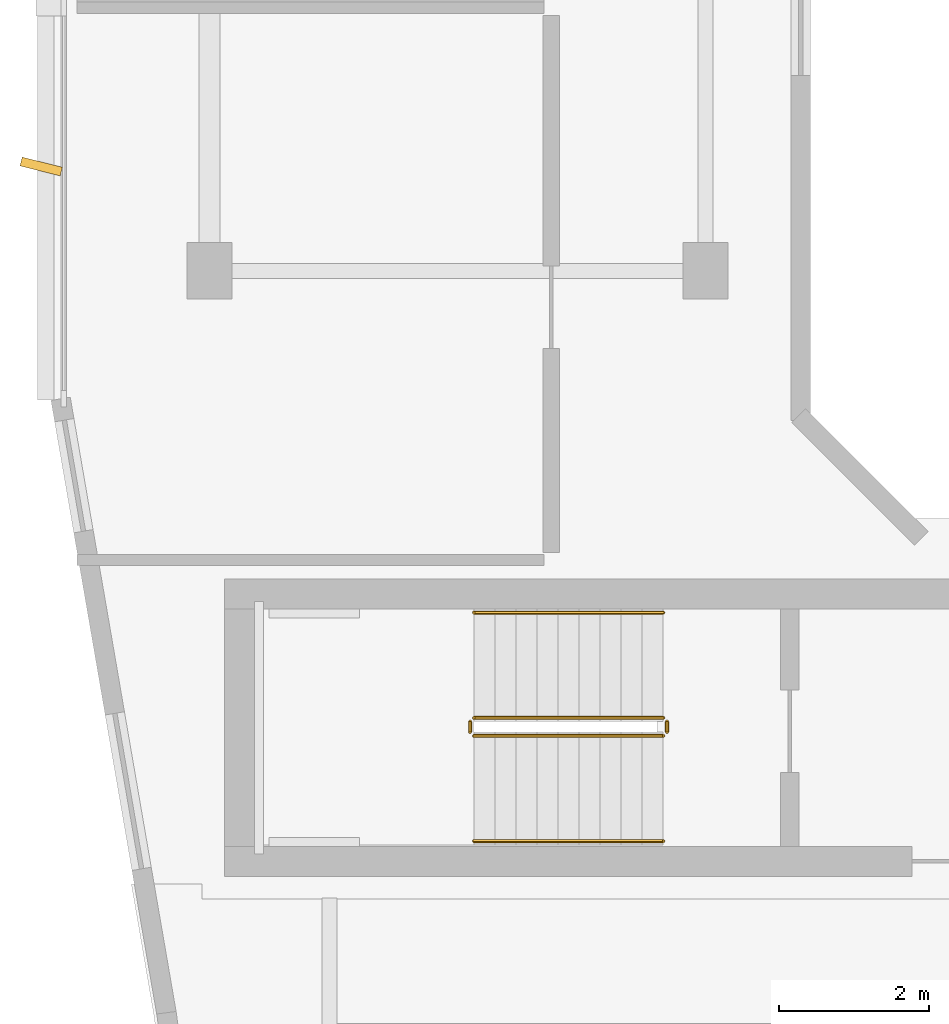
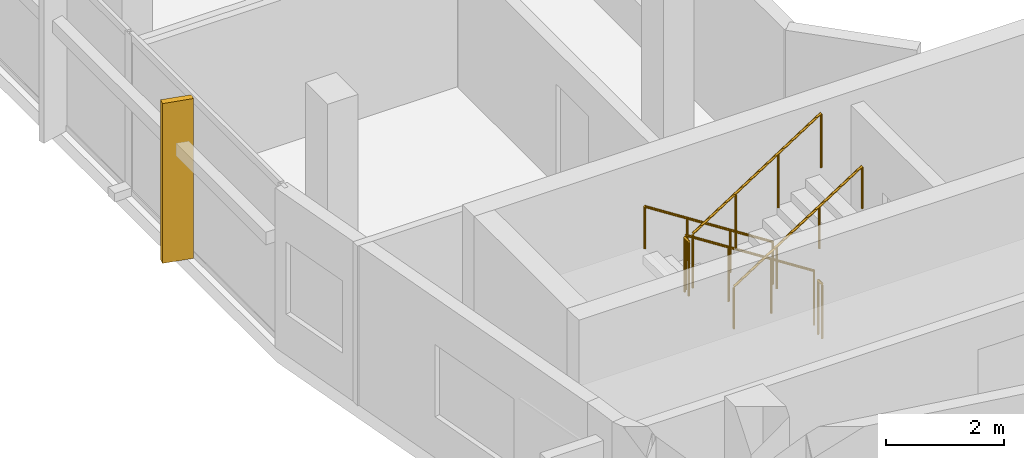
# One storey, part 7 of 10: 6 railings, 1 shading device.
"""IFC4 building model written with IfcOpenShell, lengths in metres."""

from ifc_helpers import new_model, si_unit, derived_unit, direction, frame, origin, origin_2d, place, context, subcontext, project, spatial, rectangle, circle, extrude, material, type_object, element, save


model = new_model("IFC4")

# Units and contexts
model_context = context("Model", 3, precision=1e-05, world=origin(), true_north=direction((0.0, 1.0)))
body_context = subcontext(model_context, "Body", "Model", "MODEL_VIEW")
ifc_project = project(units=[si_unit("LENGTHUNIT", "METRE"), si_unit("AREAUNIT", "SQUARE_METRE"), si_unit("VOLUMEUNIT", "CUBIC_METRE"), si_unit("PLANEANGLEUNIT", "RADIAN"), si_unit("MASSUNIT", "GRAM", prefix="KILO"), derived_unit("THERMALTRANSMITTANCEUNIT", [(si_unit("POWERUNIT", "WATT"), 1), (si_unit("LENGTHUNIT", "METRE"), -2), (si_unit("THERMODYNAMICTEMPERATUREUNIT", "KELVIN"), -1)])], contexts=[model_context])

# Site, building, storey
site_placement = place(None, origin())
site = spatial("IfcSite", under=ifc_project, at=site_placement, CompositionType="ELEMENT")
building_placement = place(site_placement, origin())
building = spatial("IfcBuilding", under=site, at=building_placement, Name="Kivonza Crest Hotel", CompositionType="ELEMENT")
storey_placement = place(building_placement, frame((0.0, 0.0, 264.800048828125)))
storey = spatial("IfcBuildingStorey", under=building, at=storey_placement, Name="L72", CompositionType="ELEMENT", Elevation=264.800048828125)

# Railings
ifc_material_1 = material(Name="Brushed stainless steel handrail", Category="steel")
railing_type_1 = type_object("IfcRailingType", Name="RL-HAND-900", PredefinedType="HANDRAIL", material=ifc_material_1)
railing_1_placement = place(storey_placement, frame((12.239990234375, 16.949951171875, 0.179931640625)))
element("IfcRailing", 1, at=railing_1_placement, inside=storey, type_object=railing_type_1, Name="L72 ST-T1-S stair handrail 1", PredefinedType="HANDRAIL", context=body_context, shape_type="SweptSolid", body=[
    extrude(circle(Radius=0.02392578125, at=origin_2d()), frame((0.0, 0.0, 0.8759765625), z_axis=(-0.841162588446, 0.0, 0.540782303519), x_axis=(0.0, -1.0, 0.0)), (0.0, 0.0, 1.0), 2.995849609375),
    extrude(circle(Radius=0.02099609375, at=origin_2d()), origin(), (0.0, 0.0, 1.0), 0.851806640625),
    extrude(circle(Radius=0.02099609375, at=origin_2d()), frame((-0.840087890625, 0.0, 0.5400390625)), (0.0, 0.0, 1.0), 0.851806640625),
    extrude(circle(Radius=0.02099609375, at=origin_2d()), frame((-1.679931640625, 0.0, 1.080078125)), (0.0, 0.0, 1.0), 0.851806640625),
    extrude(circle(Radius=0.02099609375, at=origin_2d()), frame((-2.52001953125, 0.0, 1.6201171875)), (0.0, 0.0, 1.0), 0.851806640625),
])
railing_2_placement = place(storey_placement, frame((9.719970703125, 13.909912109375, 1.97998046875)))
element("IfcRailing", 2, at=railing_2_placement, inside=storey, type_object=railing_type_1, Name="L72 ST-T1-S stair handrail 2", PredefinedType="HANDRAIL", context=body_context, shape_type="SweptSolid", body=[
    extrude(circle(Radius=0.02392578125, at=origin_2d()), frame((0.0, 0.0, 0.8759765625), z_axis=(0.841199657755, 0.0, 0.540724639528), x_axis=(0.0, 1.0, 0.0)), (0.0, 0.0, 1.0), 2.995849609375),
    extrude(circle(Radius=0.02099609375, at=origin_2d()), origin(), (0.0, 0.0, 1.0), 0.851806640625),
    extrude(circle(Radius=0.02099609375, at=origin_2d()), frame((0.840087890625, 0.0, 0.5400390625)), (0.0, 0.0, 1.0), 0.851806640625),
    extrude(circle(Radius=0.02099609375, at=origin_2d()), frame((1.679931640625, 0.0, 1.079833984375)), (0.0, 0.0, 1.0), 0.851806640625),
    extrude(circle(Radius=0.02099609375, at=origin_2d()), frame((2.52001953125, 0.0, 1.619873046875)), (0.0, 0.0, 1.0), 0.851806640625),
])
ifc_material_2 = material(Name="Painted steel balustrade", Category="steel")
railing_type_2 = type_object("IfcRailingType", Name="RL-STAIR-1150", PredefinedType="BALUSTRADE", material=ifc_material_2)
railing_3_placement = place(storey_placement, frame((12.239990234375, 15.550048828125, 0.179931640625)))
element("IfcRailing", 3, at=railing_3_placement, inside=storey, type_object=railing_type_2, Name="L72 ST-T1-S stair guard 1", PredefinedType="BALUSTRADE", context=body_context, shape_type="SweptSolid", body=[
    extrude(circle(Radius=0.02392578125, at=origin_2d()), frame((0.0, 0.0, 1.1259765625), z_axis=(-0.841162588446, 0.0, 0.540782303519), x_axis=(0.0, -1.0, 0.0)), (0.0, 0.0, 1.0), 2.995849609375),
    extrude(circle(Radius=0.02099609375, at=origin_2d()), origin(), (0.0, 0.0, 1.0), 1.101806640625),
    extrude(circle(Radius=0.02099609375, at=origin_2d()), frame((-0.840087890625, 0.0, 0.5400390625)), (0.0, 0.0, 1.0), 1.101806640625),
    extrude(circle(Radius=0.02099609375, at=origin_2d()), frame((-1.679931640625, 0.0, 1.080078125)), (0.0, 0.0, 1.0), 1.101806640625),
    extrude(circle(Radius=0.02099609375, at=origin_2d()), frame((-2.52001953125, 0.0, 1.6201171875)), (0.0, 0.0, 1.0), 1.101806640625),
])
railing_4_placement = place(storey_placement, frame((9.669921875, 15.5, 1.800048828125)))
element("IfcRailing", 4, at=railing_4_placement, inside=storey, type_object=railing_type_2, Name="L72 ST-T1-S stair guard 2", PredefinedType="BALUSTRADE", context=body_context, shape_type="SweptSolid", body=[
    extrude(circle(Radius=0.02392578125, at=origin_2d()), frame((0.0, 0.0, 1.1259765625), z_axis=(0.0, -1.0, 0.0), x_axis=(1.0, 0.0, 0.0)), (0.0, 0.0, 1.0), 0.139892578125),
    extrude(circle(Radius=0.02099609375, at=origin_2d()), origin(), (0.0, 0.0, 1.0), 1.101806640625),
    extrude(circle(Radius=0.02099609375, at=origin_2d()), frame((0.0, -0.139892578125, 0.0)), (0.0, 0.0, 1.0), 1.101806640625),
])
railing_5_placement = place(storey_placement, frame((9.719970703125, 15.31005859375, 1.97998046875)))
element("IfcRailing", 5, at=railing_5_placement, inside=storey, type_object=railing_type_2, Name="L72 ST-T1-S stair guard 3", PredefinedType="BALUSTRADE", context=body_context, shape_type="SweptSolid", body=[
    extrude(circle(Radius=0.02392578125, at=origin_2d()), frame((0.0, 0.0, 1.1259765625), z_axis=(0.841199657755, 0.0, 0.540724639528), x_axis=(0.0, 1.0, 0.0)), (0.0, 0.0, 1.0), 2.995849609375),
    extrude(circle(Radius=0.02099609375, at=origin_2d()), origin(), (0.0, 0.0, 1.0), 1.101806640625),
    extrude(circle(Radius=0.02099609375, at=origin_2d()), frame((0.840087890625, 0.0, 0.5400390625)), (0.0, 0.0, 1.0), 1.101806640625),
    extrude(circle(Radius=0.02099609375, at=origin_2d()), frame((1.679931640625, 0.0, 1.079833984375)), (0.0, 0.0, 1.0), 1.101806640625),
    extrude(circle(Radius=0.02099609375, at=origin_2d()), frame((2.52001953125, 0.0, 1.619873046875)), (0.0, 0.0, 1.0), 1.101806640625),
])
railing_6_placement = place(storey_placement, frame((12.2900390625, 15.5, 0.0)))
element("IfcRailing", 6, at=railing_6_placement, inside=storey, type_object=railing_type_2, Name="L72 ST-T1-S stair guard 4", PredefinedType="BALUSTRADE", context=body_context, shape_type="SweptSolid", body=[
    extrude(circle(Radius=0.02392578125, at=origin_2d()), frame((0.0, 0.0, 1.1259765625), z_axis=(0.0, -1.0, 0.0), x_axis=(1.0, 0.0, 0.0)), (0.0, 0.0, 1.0), 0.139892578125),
    extrude(circle(Radius=0.02099609375, at=origin_2d()), origin(), (0.0, 0.0, 1.0), 1.101806640625),
    extrude(circle(Radius=0.02099609375, at=origin_2d()), frame((0.0, -0.139892578125, 0.0)), (0.0, 0.0, 1.0), 1.101806640625),
])

# Shading device
ifc_material_3 = material(Name="Kiln-fired terracotta over extruded aluminium spine", Category="masonry")
shading_device_type = type_object("IfcShadingDeviceType", Name="SH-FIN-550", PredefinedType="USERDEFINED", material=ifc_material_3)
shading_device_placement = place(storey_placement, frame((3.9599609375, 22.887939453125, 0.0), z_axis=(0.0, 0.0, 1.0), x_axis=(-0.2419218956, -0.970295726276, 0.0)))
element("IfcShadingDevice", 7, at=shading_device_placement, inside=storey, type_object=shading_device_type, Name="L72 vertical solar shading fin CW-T1-L72-35-2", ObjectType="FIN", PredefinedType="USERDEFINED", context=body_context, shape_type="SweptSolid", body=[
    extrude(rectangle(XDim=0.1201171875, YDim=0.550048828125, at=origin_2d()), origin(), (0.0, 0.0, 1.0), 3.320068359375),
])

save(model, "model.ifc")
